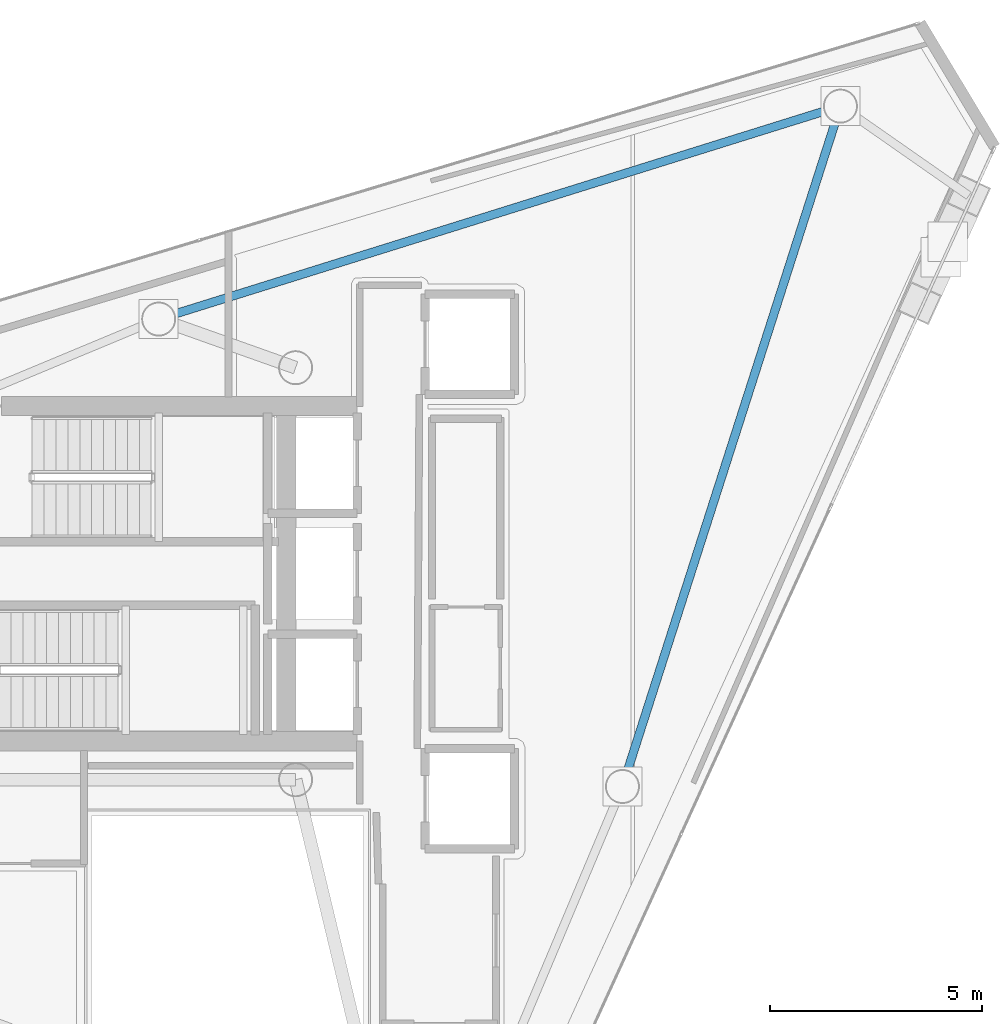
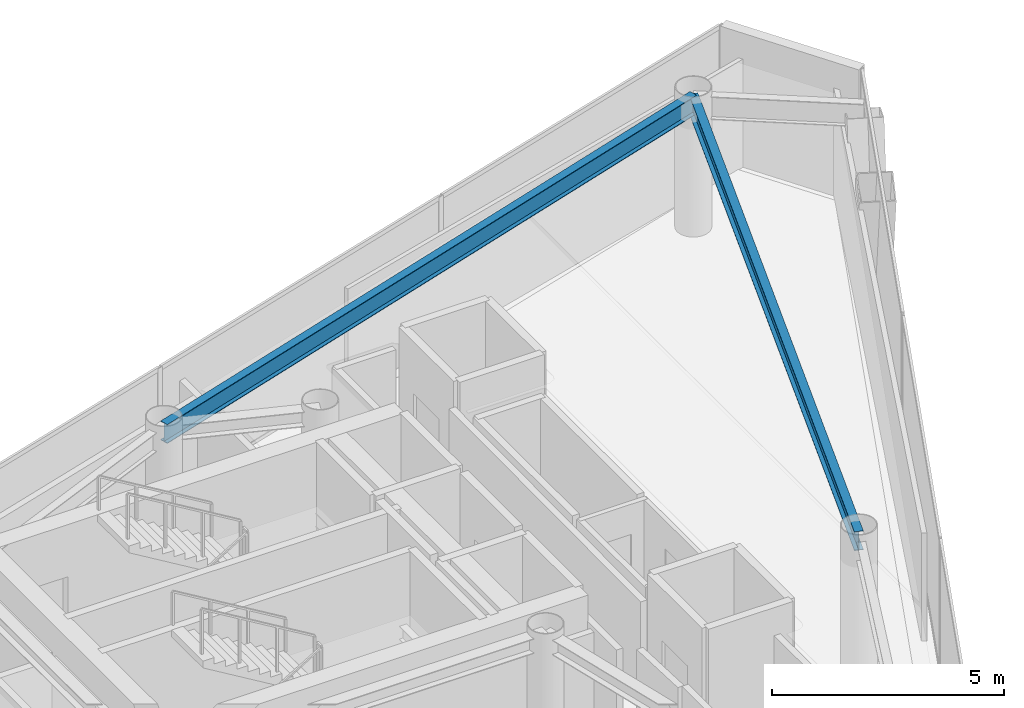
# One storey, part 12 of 19: 2 beams.
"""IFC4 building model written with IfcOpenShell, lengths in metres."""

from ifc_helpers import new_model, si_unit, direction, frame, origin, origin_2d, place, context, subcontext, project, spatial, i_section, extrude, material, material_profile, profile_set, type_object, element, save


model = new_model("IFC4")

# Units and contexts
model_context = context("Model", 3, precision=1e-05, world=origin(), true_north=direction((0.0, 1.0)))
body_context = subcontext(model_context, "Body", "Model", "MODEL_VIEW")
ifc_project = project(units=[si_unit("LENGTHUNIT", "METRE"), si_unit("AREAUNIT", "SQUARE_METRE"), si_unit("VOLUMEUNIT", "CUBIC_METRE"), si_unit("PLANEANGLEUNIT", "RADIAN"), si_unit("MASSUNIT", "GRAM", prefix="KILO")], contexts=[model_context])

# Site, building, storey
site_placement = place(None, origin())
site = spatial("IfcSite", under=ifc_project, at=site_placement, CompositionType="ELEMENT")
building_placement = place(site_placement, origin())
building = spatial("IfcBuilding", under=site, at=building_placement, Name="Qianvela Tower", CompositionType="ELEMENT")
storey_placement = place(building_placement, frame((0.0, 0.0, 325.89990234375)))
storey = spatial("IfcBuildingStorey", under=building, at=storey_placement, Name="L84", CompositionType="ELEMENT", Elevation=325.89990234375)

# Beams
ifc_material = material(Name="Steel Q355B", Category="steel")
ifc_material_profile = material_profile(ifc_material, i_section(OverallWidth=0.199951171875, OverallDepth=0.5, WebThickness=0.010009765625, FlangeThickness=0.01611328125, at=origin_2d()), Name="HN500x200x10x16")
ifc_profile_set = profile_set([ifc_material_profile], Name="Steel Q355B")
beam_type = type_object("IfcBeamType", Name="BM-HN500-GIRD", PredefinedType="BEAM", material=ifc_profile_set)
beam_1_placement = place(storey_placement, frame((51.22705078125, 39.7080078125, 3.26806640625), z_axis=(-0.954525695456, -0.298128657988, 0.0), x_axis=(0.298128657988, -0.954525695456, 0.0)))
element("IfcBeam", 1, at=beam_1_placement, inside=storey, type_object=beam_type, Name="L84 Perimeter Ring Spandrel Girder 1", PredefinedType="BEAM", context=body_context, shape_type="SweptSolid", body=[
    extrude(i_section(OverallWidth=0.199951171875, OverallDepth=0.5, WebThickness=0.010009765625, FlangeThickness=0.01611328125, at=origin_2d()), origin(), (0.0, 0.0, 1.0), 16.814697265625),
])
beam_2_placement = place(storey_placement, frame((46.094970703125, 23.69091796875, 3.26806640625), z_axis=(0.305132275277, 0.952309978203, 0.0), x_axis=(-0.952309978203, 0.305132275277, 0.0)))
element("IfcBeam", 2, at=beam_2_placement, inside=storey, type_object=beam_type, Name="L84 Perimeter Ring Spandrel Girder 6", PredefinedType="BEAM", context=body_context, shape_type="SweptSolid", body=[
    extrude(i_section(OverallWidth=0.199951171875, OverallDepth=0.5, WebThickness=0.010009765625, FlangeThickness=0.01611328125, at=origin_2d()), origin(), (0.0, 0.0, 1.0), 16.819091796875),
])

save(model, "model.ifc")
